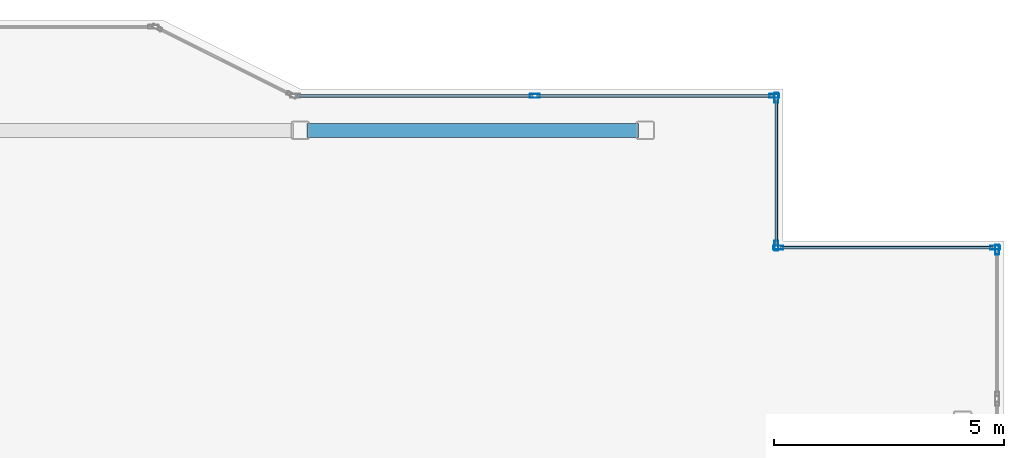
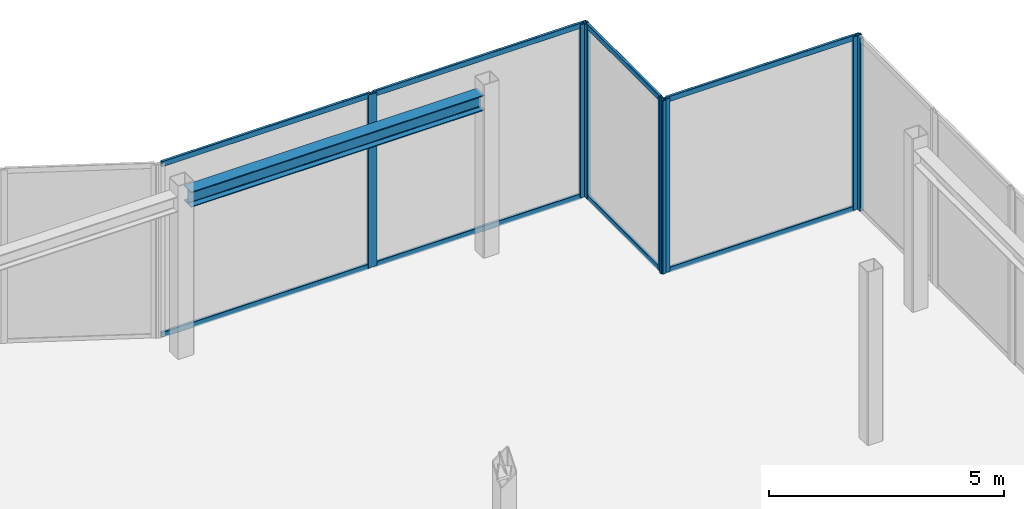
# One storey, part 11 of 15: 15 members, 1 beam, 4 elements without a shape of their own.
"""IFC4 building model written with IfcOpenShell, lengths in metres."""

from ifc_helpers import new_model, si_unit, direction, frame, origin, origin_2d, place, context, subcontext, project, spatial, hollow_rectangle, i_section, extrude, material, layer, layer_set, material_profile, profile_set, type_object, element, aggregate, save


model = new_model("IFC4")

# Units and contexts
model_context = context("Model", 3, precision=1e-05, world=origin(), true_north=direction((0.0, 1.0)))
body_context = subcontext(model_context, "Body", "Model", "MODEL_VIEW")
ifc_project = project(units=[si_unit("LENGTHUNIT", "METRE"), si_unit("AREAUNIT", "SQUARE_METRE"), si_unit("VOLUMEUNIT", "CUBIC_METRE"), si_unit("PLANEANGLEUNIT", "RADIAN"), si_unit("MASSUNIT", "GRAM", prefix="KILO")], contexts=[model_context])

# Site, building, storey
site_placement = place(None, origin())
site = spatial("IfcSite", under=ifc_project, at=site_placement, CompositionType="ELEMENT")
building_placement = place(site_placement, origin())
building = spatial("IfcBuilding", under=site, at=building_placement, Name="Tarnavaz Court Tower", CompositionType="ELEMENT")
storey_placement = place(building_placement, frame((0.0, 0.0, 295.050048828125)))
storey = spatial("IfcBuildingStorey", under=building, at=storey_placement, Name="C04", CompositionType="ELEMENT", Elevation=295.050048828125)

# Beam
ifc_material_1 = material(Name="Steel S355", Category="steel")
ifc_material_profile_1 = material_profile(ifc_material_1, i_section(OverallWidth=0.300048828125, OverallDepth=0.39990234375, WebThickness=0.013427734375, FlangeThickness=0.02392578125, FilletRadius=0.027099609375, at=origin_2d()), Name="HEB 400")
ifc_profile_set_1 = profile_set([ifc_material_profile_1], Name="Steel S355")
beam_type = type_object("IfcBeamType", Name="BM-G-HEB400", PredefinedType="USERDEFINED", material=ifc_profile_set_1)
beam_placement = place(storey_placement, frame((7.64990234375, 20.10009765625, 4.0), z_axis=(1.0, 0.0, 0.0), x_axis=(0.0, 1.0, 0.0)))
element("IfcBeam", 1, at=beam_placement, inside=storey, type_object=beam_type, Name="C04 Beam CRG-PN-3-PN-4", ObjectType="GIRDER", PredefinedType="USERDEFINED", context=body_context, shape_type="SweptSolid", body=[
    extrude(i_section(OverallWidth=0.300048828125, OverallDepth=0.39990234375, WebThickness=0.013427734375, FlangeThickness=0.02392578125, FilletRadius=0.027099609375, at=origin_2d()), origin(), (0.0, 0.0, 1.0), 7.2001953125),
])

# Curtain wall, members
ifc_material_2 = material(Name="Anodised Aluminium 6063-T6 and Solar Low-E Glazing", Category="aluminium")
ifc_layer = layer(ifc_material_2, 0.2099609375)
ifc_layer_set = layer_set([ifc_layer], Name="Anodised Aluminium 6063-T6 and Solar Low-E Glazing")
curtain_wall_type = type_object("IfcCurtainWallType", Name="CW-SYS-06", PredefinedType="NOTDEFINED", material=ifc_layer_set)
curtain_wall_1_placement = place(storey_placement, origin())
curtain_wall_1 = element("IfcCurtainWall", 2, at=curtain_wall_1_placement, inside=storey, type_object=curtain_wall_type, Name="C04 Slanted Crown Terracotta Curtain Wall 7", PredefinedType="NOTDEFINED")
ifc_material_3 = material(Name="Anodised Aluminium 6063-T6", Category="aluminium")
ifc_material_profile_2 = material_profile(ifc_material_3, hollow_rectangle(XDim=0.0849609375, YDim=0.219970703125, WallThickness=0.006103515625, InnerFilletRadius=0.006103515625, OuterFilletRadius=0.011962890625, at=origin_2d()), Name="ALU RHS 220X85X6")
ifc_profile_set_2 = profile_set([ifc_material_profile_2], Name="Anodised Aluminium 6063-T6")
member_type_1 = type_object("IfcMemberType", Name="CW-MUL-220", PredefinedType="MULLION", material=ifc_profile_set_2)
member_1_placement = place(storey_placement, frame((12.60009765625, 20.85009765625, 0.0), z_axis=(0.0, 0.0, 1.0), x_axis=(0.0, 1.0, 0.0)))
member_1 = element("IfcMember", 3, at=member_1_placement, type_object=member_type_1, Name="CW mullion 2", PredefinedType="MULLION", context=body_context, shape_type="SweptSolid", body=[
    extrude(hollow_rectangle(XDim=0.0849609375, YDim=0.219970703125, WallThickness=0.006103515625, InnerFilletRadius=0.006103515625, OuterFilletRadius=0.011962890625, at=origin_2d()), origin(), (0.0, 0.0, 1.0), 4.5),
])
member_2_placement = place(storey_placement, frame((17.8076171875, 20.85009765625, 0.0), z_axis=(0.0, 0.0, 1.0), x_axis=(0.0, 1.0, 0.0)))
member_2 = element("IfcMember", 4, at=member_2_placement, type_object=member_type_1, Name="CW mullion 3", PredefinedType="MULLION", context=body_context, shape_type="SweptSolid", body=[
    extrude(hollow_rectangle(XDim=0.0849609375, YDim=0.219970703125, WallThickness=0.006103515625, InnerFilletRadius=0.006103515625, OuterFilletRadius=0.011962890625, at=origin_2d()), origin(), (0.0, 0.0, 1.0), 4.5),
])

curtain_wall_2_placement = place(storey_placement, origin())
curtain_wall_2 = element("IfcCurtainWall", 5, at=curtain_wall_2_placement, inside=storey, type_object=curtain_wall_type, Name="C04 Slanted Crown Terracotta Curtain Wall 8", PredefinedType="NOTDEFINED")
member_3_placement = place(storey_placement, frame((17.85009765625, 20.8076171875, 0.0), z_axis=(0.0, 0.0, 1.0), x_axis=(1.0, 0.0, 0.0)))
member_3 = element("IfcMember", 6, at=member_3_placement, type_object=member_type_1, Name="CW mullion 1", PredefinedType="MULLION", context=body_context, shape_type="SweptSolid", body=[
    extrude(hollow_rectangle(XDim=0.0849609375, YDim=0.219970703125, WallThickness=0.006103515625, InnerFilletRadius=0.006103515625, OuterFilletRadius=0.011962890625, at=origin_2d()), origin(), (0.0, 0.0, 1.0), 4.5),
])
member_4_placement = place(storey_placement, frame((17.85009765625, 17.592529296875, 0.0), z_axis=(0.0, 0.0, 1.0), x_axis=(1.0, 0.0, 0.0)))
member_4 = element("IfcMember", 7, at=member_4_placement, type_object=member_type_1, Name="CW mullion 2", PredefinedType="MULLION", context=body_context, shape_type="SweptSolid", body=[
    extrude(hollow_rectangle(XDim=0.0849609375, YDim=0.219970703125, WallThickness=0.006103515625, InnerFilletRadius=0.006103515625, OuterFilletRadius=0.011962890625, at=origin_2d()), origin(), (0.0, 0.0, 1.0), 4.5),
])

curtain_wall_3_placement = place(storey_placement, origin())
curtain_wall_3 = element("IfcCurtainWall", 8, at=curtain_wall_3_placement, inside=storey, type_object=curtain_wall_type, Name="C04 Slanted Crown Terracotta Curtain Wall 9", PredefinedType="NOTDEFINED")
member_5_placement = place(storey_placement, frame((17.892578125, 17.550048828125, 0.0), z_axis=(0.0, 0.0, 1.0), x_axis=(0.0, 1.0, 0.0)))
member_5 = element("IfcMember", 9, at=member_5_placement, type_object=member_type_1, Name="CW mullion 1", PredefinedType="MULLION", context=body_context, shape_type="SweptSolid", body=[
    extrude(hollow_rectangle(XDim=0.0849609375, YDim=0.219970703125, WallThickness=0.006103515625, InnerFilletRadius=0.006103515625, OuterFilletRadius=0.011962890625, at=origin_2d()), origin(), (0.0, 0.0, 1.0), 4.5),
])
member_6_placement = place(storey_placement, frame((22.607421875, 17.550048828125, 0.0), z_axis=(0.0, 0.0, 1.0), x_axis=(0.0, 1.0, 0.0)))
member_6 = element("IfcMember", 10, at=member_6_placement, type_object=member_type_1, Name="CW mullion 2", PredefinedType="MULLION", context=body_context, shape_type="SweptSolid", body=[
    extrude(hollow_rectangle(XDim=0.0849609375, YDim=0.219970703125, WallThickness=0.006103515625, InnerFilletRadius=0.006103515625, OuterFilletRadius=0.011962890625, at=origin_2d()), origin(), (0.0, 0.0, 1.0), 4.5),
])

# Curtain wall, member
curtain_wall_4_placement = place(storey_placement, origin())
curtain_wall_4 = element("IfcCurtainWall", 11, at=curtain_wall_4_placement, inside=storey, type_object=curtain_wall_type, Name="C04 Slanted Crown Terracotta Curtain Wall 10", PredefinedType="NOTDEFINED")
member_7_placement = place(storey_placement, frame((22.64990234375, 17.507568359375, 0.0), z_axis=(0.0, 0.0, 1.0), x_axis=(1.0, 0.0, 0.0)))
member_7 = element("IfcMember", 12, at=member_7_placement, type_object=member_type_1, Name="CW mullion 1", PredefinedType="MULLION", context=body_context, shape_type="SweptSolid", body=[
    extrude(hollow_rectangle(XDim=0.0849609375, YDim=0.219970703125, WallThickness=0.006103515625, InnerFilletRadius=0.006103515625, OuterFilletRadius=0.011962890625, at=origin_2d()), origin(), (0.0, 0.0, 1.0), 4.5),
])
aggregate(curtain_wall_4, [member_7])

# Member
ifc_material_profile_3 = material_profile(ifc_material_3, hollow_rectangle(XDim=0.06494140625, YDim=0.139892578125, WallThickness=0.00390625, InnerFilletRadius=0.00390625, OuterFilletRadius=0.008056640625, at=origin_2d()), Name="ALU RHS 140X65X4")
ifc_profile_set_3 = profile_set([ifc_material_profile_3], Name="Anodised Aluminium 6063-T6")
member_type_2 = type_object("IfcMemberType", Name="CW-TRN-140", PredefinedType="USERDEFINED", material=ifc_profile_set_3)
member_8_placement = place(storey_placement, frame((7.43505859375, 20.85009765625, 0.032470703125), z_axis=(1.0, 0.0, 0.0), x_axis=(0.0, 1.0, 0.0)))
member_8 = element("IfcMember", 13, at=member_8_placement, type_object=member_type_2, Name="CW transom 1.1", ObjectType="TRANSOM", PredefinedType="USERDEFINED", context=body_context, shape_type="SweptSolid", body=[
    extrude(hollow_rectangle(XDim=0.06494140625, YDim=0.139892578125, WallThickness=0.00390625, InnerFilletRadius=0.00390625, OuterFilletRadius=0.008056640625, at=origin_2d()), origin(), (0.0, 0.0, 1.0), 5.12255859375),
])

member_9_placement = place(storey_placement, frame((7.43505859375, 20.85009765625, 4.467529296875), z_axis=(1.0, 0.0, 0.0), x_axis=(0.0, 1.0, 0.0)))
member_9 = element("IfcMember", 14, at=member_9_placement, type_object=member_type_2, Name="CW transom 1.2", ObjectType="TRANSOM", PredefinedType="USERDEFINED", context=body_context, shape_type="SweptSolid", body=[
    extrude(hollow_rectangle(XDim=0.06494140625, YDim=0.139892578125, WallThickness=0.00390625, InnerFilletRadius=0.00390625, OuterFilletRadius=0.008056640625, at=origin_2d()), origin(), (0.0, 0.0, 1.0), 5.12255859375),
])

member_10_placement = place(storey_placement, frame((12.642578125, 20.85009765625, 0.032470703125), z_axis=(1.0, 0.0, 0.0), x_axis=(0.0, 1.0, 0.0)))
member_10 = element("IfcMember", 15, at=member_10_placement, type_object=member_type_2, Name="CW transom 2.1", ObjectType="TRANSOM", PredefinedType="USERDEFINED", context=body_context, shape_type="SweptSolid", body=[
    extrude(hollow_rectangle(XDim=0.06494140625, YDim=0.139892578125, WallThickness=0.00390625, InnerFilletRadius=0.00390625, OuterFilletRadius=0.008056640625, at=origin_2d()), origin(), (0.0, 0.0, 1.0), 5.122314453125),
])

member_11_placement = place(storey_placement, frame((12.642578125, 20.85009765625, 4.467529296875), z_axis=(1.0, 0.0, 0.0), x_axis=(0.0, 1.0, 0.0)))
member_11 = element("IfcMember", 16, at=member_11_placement, type_object=member_type_2, Name="CW transom 2.2", ObjectType="TRANSOM", PredefinedType="USERDEFINED", context=body_context, shape_type="SweptSolid", body=[
    extrude(hollow_rectangle(XDim=0.06494140625, YDim=0.139892578125, WallThickness=0.00390625, InnerFilletRadius=0.00390625, OuterFilletRadius=0.008056640625, at=origin_2d()), origin(), (0.0, 0.0, 1.0), 5.122314453125),
])

aggregate(curtain_wall_1, [member_1, member_2, member_8, member_9, member_10, member_11])

member_12_placement = place(storey_placement, frame((17.85009765625, 20.764892578125, 0.032470703125), z_axis=(0.0, -1.0, 0.0), x_axis=(1.0, 0.0, 0.0)))
member_12 = element("IfcMember", 17, at=member_12_placement, type_object=member_type_2, Name="CW transom 1.1", ObjectType="TRANSOM", PredefinedType="USERDEFINED", context=body_context, shape_type="SweptSolid", body=[
    extrude(hollow_rectangle(XDim=0.06494140625, YDim=0.139892578125, WallThickness=0.00390625, InnerFilletRadius=0.00390625, OuterFilletRadius=0.008056640625, at=origin_2d()), origin(), (0.0, 0.0, 1.0), 3.1298828125),
])

member_13_placement = place(storey_placement, frame((17.85009765625, 20.764892578125, 4.467529296875), z_axis=(0.0, -1.0, 0.0), x_axis=(1.0, 0.0, 0.0)))
member_13 = element("IfcMember", 18, at=member_13_placement, type_object=member_type_2, Name="CW transom 1.2", ObjectType="TRANSOM", PredefinedType="USERDEFINED", context=body_context, shape_type="SweptSolid", body=[
    extrude(hollow_rectangle(XDim=0.06494140625, YDim=0.139892578125, WallThickness=0.00390625, InnerFilletRadius=0.00390625, OuterFilletRadius=0.008056640625, at=origin_2d()), origin(), (0.0, 0.0, 1.0), 3.1298828125),
])

aggregate(curtain_wall_2, [member_3, member_4, member_12, member_13])

member_14_placement = place(storey_placement, frame((17.93505859375, 17.550048828125, 0.032470703125), z_axis=(1.0, 0.0, 0.0), x_axis=(0.0, 1.0, 0.0)))
member_14 = element("IfcMember", 19, at=member_14_placement, type_object=member_type_2, Name="CW transom 1.1", ObjectType="TRANSOM", PredefinedType="USERDEFINED", context=body_context, shape_type="SweptSolid", body=[
    extrude(hollow_rectangle(XDim=0.06494140625, YDim=0.139892578125, WallThickness=0.00390625, InnerFilletRadius=0.00390625, OuterFilletRadius=0.008056640625, at=origin_2d()), origin(), (0.0, 0.0, 1.0), 4.6298828125),
])

member_15_placement = place(storey_placement, frame((17.93505859375, 17.550048828125, 4.467529296875), z_axis=(1.0, 0.0, 0.0), x_axis=(0.0, 1.0, 0.0)))
member_15 = element("IfcMember", 20, at=member_15_placement, type_object=member_type_2, Name="CW transom 1.2", ObjectType="TRANSOM", PredefinedType="USERDEFINED", context=body_context, shape_type="SweptSolid", body=[
    extrude(hollow_rectangle(XDim=0.06494140625, YDim=0.139892578125, WallThickness=0.00390625, InnerFilletRadius=0.00390625, OuterFilletRadius=0.008056640625, at=origin_2d()), origin(), (0.0, 0.0, 1.0), 4.6298828125),
])

aggregate(curtain_wall_3, [member_5, member_6, member_14, member_15])

save(model, "model.ifc")
